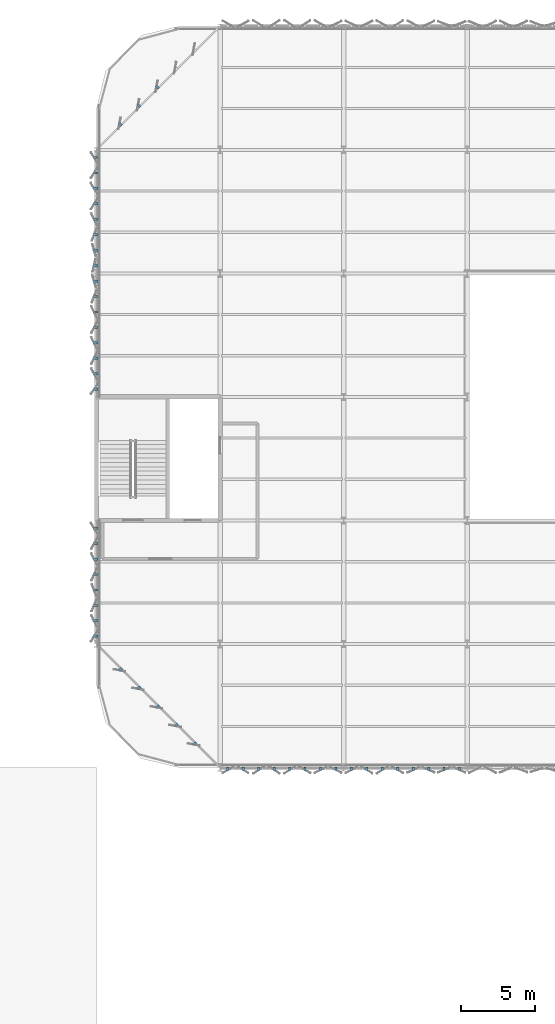
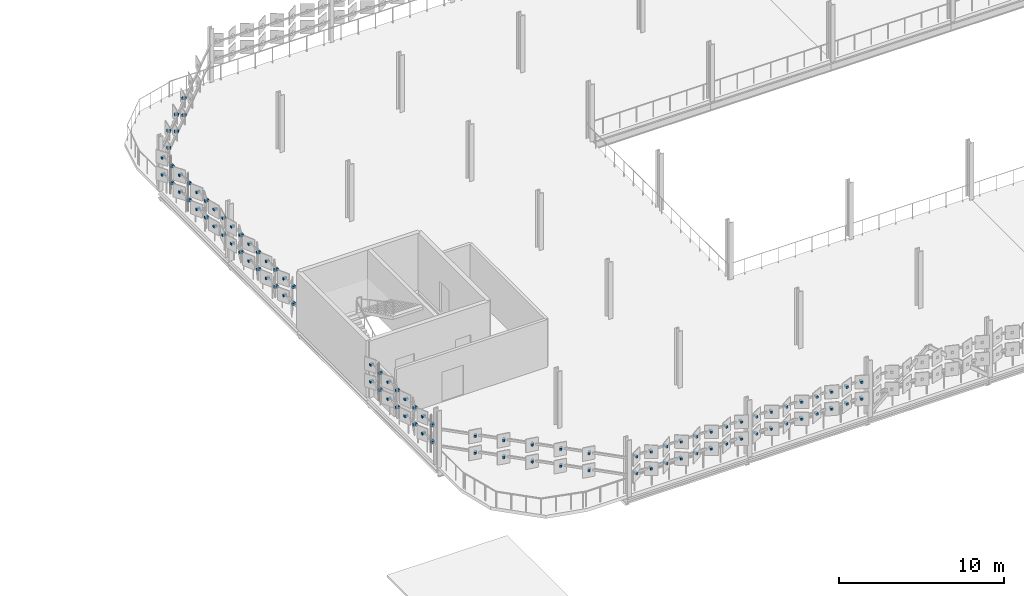
# One storey, part 56 of 69: 96 discrete accessories.
"""IFC4 building model written with IfcOpenShell, lengths in metres."""

from ifc_helpers import new_model, si_unit, direction, frame, origin, origin_2d, place, context, subcontext, project, spatial, rectangle, extrude, material, type_object, element, save


model = new_model("IFC4")

# Units and contexts
model_context = context("Model", 3, precision=1e-05, world=origin(), true_north=direction((0.0, 1.0)))
body_context = subcontext(model_context, "Body", "Model", "MODEL_VIEW")
ifc_project = project(units=[si_unit("LENGTHUNIT", "METRE"), si_unit("AREAUNIT", "SQUARE_METRE"), si_unit("VOLUMEUNIT", "CUBIC_METRE"), si_unit("PLANEANGLEUNIT", "RADIAN"), si_unit("MASSUNIT", "GRAM", prefix="KILO")], contexts=[model_context])

# Site, building, storey
site_placement = place(None, origin())
site = spatial("IfcSite", under=ifc_project, at=site_placement, CompositionType="ELEMENT")
building_placement = place(site_placement, origin())
building = spatial("IfcBuilding", under=site, at=building_placement, Name="Qalvenar Corner Mobility Hub", CompositionType="ELEMENT")
storey_placement = place(building_placement, frame((0.0, 0.0, 13.199951171875)))
storey = spatial("IfcBuildingStorey", under=building, at=storey_placement, Name="L03", CompositionType="ELEMENT", Elevation=13.199951171875)

# Discrete accessories
ifc_material = material(Name="Steel S355", Category="steel")
discrete_accessory_type = type_object("IfcDiscreteAccessoryType", Name="ACC-HINGE-BRK", PredefinedType="BRACKET", material=ifc_material)
for number, where, z_axis, x_axis, name in (
    (1, (67.72509765625, 67.1201171875, 1.419921875), (0.0, 0.0, 1.0), (1.0, 0.0, 0.0), "Panel Hinge Bracket BK-L03-0721"),
    (2, (67.72509765625, 67.1201171875, 2.669921875), (0.0, 0.0, 1.0), (1.0, 0.0, 0.0), "Panel Hinge Bracket BK-L03-0722"),
    (3, (68.77490234375, 67.1201171875, 1.419921875), (0.0, 0.0, 1.0), (1.0, 0.0, 0.0), "Panel Hinge Bracket BK-L03-0723"),
    (4, (68.77490234375, 67.1201171875, 2.669921875), (0.0, 0.0, 1.0), (1.0, 0.0, 0.0), "Panel Hinge Bracket BK-L03-0724"),
    (5, (69.824951171875, 67.1201171875, 1.419921875), (0.0, 0.0, 1.0), (1.0, 0.0, 0.0), "Panel Hinge Bracket BK-L03-0725"),
    (6, (69.824951171875, 67.1201171875, 2.669921875), (0.0, 0.0, 1.0), (1.0, 0.0, 0.0), "Panel Hinge Bracket BK-L03-0726"),
    (7, (70.875, 67.1201171875, 1.419921875), (0.0, 0.0, 1.0), (1.0, 0.0, 0.0), "Panel Hinge Bracket BK-L03-0727"),
    (8, (70.875, 67.1201171875, 2.669921875), (0.0, 0.0, 1.0), (1.0, 0.0, 0.0), "Panel Hinge Bracket BK-L03-0728"),
    (9, (71.925048828125, 67.1201171875, 1.419921875), (0.0, 0.0, 1.0), (1.0, 0.0, 0.0), "Panel Hinge Bracket BK-L03-0729"),
    (10, (71.925048828125, 67.1201171875, 2.669921875), (0.0, 0.0, 1.0), (1.0, 0.0, 0.0), "Panel Hinge Bracket BK-L03-0730"),
    (11, (72.97509765625, 67.1201171875, 1.419921875), (0.0, 0.0, 1.0), (1.0, 0.0, 0.0), "Panel Hinge Bracket BK-L03-0731"),
    (12, (72.97509765625, 67.1201171875, 2.669921875), (0.0, 0.0, 1.0), (1.0, 0.0, 0.0), "Panel Hinge Bracket BK-L03-0732"),
    (13, (74.02490234375, 67.1201171875, 1.419921875), (0.0, 0.0, 1.0), (1.0, 0.0, 0.0), "Panel Hinge Bracket BK-L03-0733"),
    (14, (74.02490234375, 67.1201171875, 2.669921875), (0.0, 0.0, 1.0), (1.0, 0.0, 0.0), "Panel Hinge Bracket BK-L03-0734"),
    (15, (75.074951171875, 67.1201171875, 1.419921875), (0.0, 0.0, 1.0), (1.0, 0.0, 0.0), "Panel Hinge Bracket BK-L03-0735"),
    (16, (75.074951171875, 67.1201171875, 2.669921875), (0.0, 0.0, 1.0), (1.0, 0.0, 0.0), "Panel Hinge Bracket BK-L03-0736"),
    (17, (76.125, 67.1201171875, 1.419921875), (0.0, 0.0, 1.0), (1.0, 0.0, 0.0), "Panel Hinge Bracket BK-L03-0737"),
    (18, (76.125, 67.1201171875, 2.669921875), (0.0, 0.0, 1.0), (1.0, 0.0, 0.0), "Panel Hinge Bracket BK-L03-0738"),
    (19, (77.175048828125, 67.1201171875, 1.419921875), (0.0, 0.0, 1.0), (1.0, 0.0, 0.0), "Panel Hinge Bracket BK-L03-0739"),
    (20, (77.175048828125, 67.1201171875, 2.669921875), (0.0, 0.0, 1.0), (1.0, 0.0, 0.0), "Panel Hinge Bracket BK-L03-0740"),
    (21, (78.22509765625, 67.1201171875, 1.419921875), (0.0, 0.0, 1.0), (1.0, 0.0, 0.0), "Panel Hinge Bracket BK-L03-0741"),
    (22, (78.22509765625, 67.1201171875, 2.669921875), (0.0, 0.0, 1.0), (1.0, 0.0, 0.0), "Panel Hinge Bracket BK-L03-0742"),
    (23, (79.27490234375, 67.1201171875, 1.419921875), (0.0, 0.0, 1.0), (1.0, 0.0, 0.0), "Panel Hinge Bracket BK-L03-0743"),
    (24, (79.27490234375, 67.1201171875, 2.669921875), (0.0, 0.0, 1.0), (1.0, 0.0, 0.0), "Panel Hinge Bracket BK-L03-0744"),
    (25, (80.324951171875, 67.1201171875, 1.419921875), (0.0, 0.0, 1.0), (1.0, 0.0, 0.0), "Panel Hinge Bracket BK-L03-0745"),
    (26, (80.324951171875, 67.1201171875, 2.669921875), (0.0, 0.0, 1.0), (1.0, 0.0, 0.0), "Panel Hinge Bracket BK-L03-0746"),
    (27, (81.375, 67.1201171875, 1.419921875), (0.0, 0.0, 1.0), (1.0, 0.0, 0.0), "Panel Hinge Bracket BK-L03-0747"),
    (28, (81.375, 67.1201171875, 2.669921875), (0.0, 0.0, 1.0), (1.0, 0.0, 0.0), "Panel Hinge Bracket BK-L03-0748"),
    (29, (82.425048828125, 67.1201171875, 1.419921875), (0.0, 0.0, 1.0), (1.0, 0.0, 0.0), "Panel Hinge Bracket BK-L03-0749"),
    (30, (82.425048828125, 67.1201171875, 2.669921875), (0.0, 0.0, 1.0), (1.0, 0.0, 0.0), "Panel Hinge Bracket BK-L03-0750"),
    (31, (83.47509765625, 67.1201171875, 1.419921875), (0.0, 0.0, 1.0), (1.0, 0.0, 0.0), "Panel Hinge Bracket BK-L03-0751"),
    (32, (83.47509765625, 67.1201171875, 2.669921875), (0.0, 0.0, 1.0), (1.0, 0.0, 0.0), "Panel Hinge Bracket BK-L03-0752"),
    (33, (58.719970703125, 83.47509765625, 1.419921875), (0.0, 0.0, 1.0), (0.0, -1.0, 0.0), "Panel Hinge Bracket BK-L03-0977"),
    (34, (58.719970703125, 83.47509765625, 2.669921875), (0.0, 0.0, 1.0), (0.0, -1.0, 0.0), "Panel Hinge Bracket BK-L03-0978"),
    (35, (58.719970703125, 82.425048828125, 1.419921875), (0.0, 0.0, 1.0), (0.0, -1.0, 0.0), "Panel Hinge Bracket BK-L03-0979"),
    (36, (58.719970703125, 82.425048828125, 2.669921875), (0.0, 0.0, 1.0), (0.0, -1.0, 0.0), "Panel Hinge Bracket BK-L03-0980"),
    (37, (58.719970703125, 81.375, 1.419921875), (0.0, 0.0, 1.0), (0.0, -1.0, 0.0), "Panel Hinge Bracket BK-L03-0981"),
    (38, (58.719970703125, 81.375, 2.669921875), (0.0, 0.0, 1.0), (0.0, -1.0, 0.0), "Panel Hinge Bracket BK-L03-0982"),
    (39, (58.719970703125, 80.324951171875, 1.419921875), (0.0, 0.0, 1.0), (0.0, -1.0, 0.0), "Panel Hinge Bracket BK-L03-0983"),
    (40, (58.719970703125, 80.324951171875, 2.669921875), (0.0, 0.0, 1.0), (0.0, -1.0, 0.0), "Panel Hinge Bracket BK-L03-0984"),
    (41, (58.719970703125, 79.27490234375, 1.419921875), (0.0, 0.0, 1.0), (0.0, -1.0, 0.0), "Panel Hinge Bracket BK-L03-0985"),
    (42, (58.719970703125, 79.27490234375, 2.669921875), (0.0, 0.0, 1.0), (0.0, -1.0, 0.0), "Panel Hinge Bracket BK-L03-0986"),
    (43, (58.719970703125, 78.22509765625, 1.419921875), (0.0, 0.0, 1.0), (0.0, -1.0, 0.0), "Panel Hinge Bracket BK-L03-0987"),
    (44, (58.719970703125, 78.22509765625, 2.669921875), (0.0, 0.0, 1.0), (0.0, -1.0, 0.0), "Panel Hinge Bracket BK-L03-0988"),
    (45, (58.719970703125, 77.175048828125, 1.419921875), (0.0, 0.0, 1.0), (0.0, -1.0, 0.0), "Panel Hinge Bracket BK-L03-0989"),
    (46, (58.719970703125, 77.175048828125, 2.669921875), (0.0, 0.0, 1.0), (0.0, -1.0, 0.0), "Panel Hinge Bracket BK-L03-0990"),
    (47, (58.719970703125, 76.125, 1.419921875), (0.0, 0.0, 1.0), (0.0, -1.0, 0.0), "Panel Hinge Bracket BK-L03-0991"),
    (48, (58.719970703125, 76.125, 2.669921875), (0.0, 0.0, 1.0), (0.0, -1.0, 0.0), "Panel Hinge Bracket BK-L03-0992"),
    (49, (58.719970703125, 108.675048828125, 1.419921875), (0.0, 0.0, 1.0), (0.0, -1.0, 0.0), "Panel Hinge Bracket BK-L03-0993"),
    (50, (58.719970703125, 108.675048828125, 2.669921875), (0.0, 0.0, 1.0), (0.0, -1.0, 0.0), "Panel Hinge Bracket BK-L03-0994"),
    (51, (58.719970703125, 107.625, 1.419921875), (0.0, 0.0, 1.0), (0.0, -1.0, 0.0), "Panel Hinge Bracket BK-L03-0995"),
    (52, (58.719970703125, 107.625, 2.669921875), (0.0, 0.0, 1.0), (0.0, -1.0, 0.0), "Panel Hinge Bracket BK-L03-0996"),
    (53, (58.719970703125, 106.574951171875, 1.419921875), (0.0, 0.0, 1.0), (0.0, -1.0, 0.0), "Panel Hinge Bracket BK-L03-0997"),
    (54, (58.719970703125, 106.574951171875, 2.669921875), (0.0, 0.0, 1.0), (0.0, -1.0, 0.0), "Panel Hinge Bracket BK-L03-0998"),
    (55, (58.719970703125, 105.52490234375, 1.419921875), (0.0, 0.0, 1.0), (0.0, -1.0, 0.0), "Panel Hinge Bracket BK-L03-0999"),
    (56, (58.719970703125, 105.52490234375, 2.669921875), (0.0, 0.0, 1.0), (0.0, -1.0, 0.0), "Panel Hinge Bracket BK-L03-1000"),
    (57, (58.719970703125, 104.47509765625, 1.419921875), (0.0, 0.0, 1.0), (0.0, -1.0, 0.0), "Panel Hinge Bracket BK-L03-1001"),
    (58, (58.719970703125, 104.47509765625, 2.669921875), (0.0, 0.0, 1.0), (0.0, -1.0, 0.0), "Panel Hinge Bracket BK-L03-1002"),
    (59, (58.719970703125, 103.425048828125, 1.419921875), (0.0, 0.0, 1.0), (0.0, -1.0, 0.0), "Panel Hinge Bracket BK-L03-1003"),
    (60, (58.719970703125, 103.425048828125, 2.669921875), (0.0, 0.0, 1.0), (0.0, -1.0, 0.0), "Panel Hinge Bracket BK-L03-1004"),
    (61, (58.719970703125, 102.375, 1.419921875), (0.0, 0.0, 1.0), (0.0, -1.0, 0.0), "Panel Hinge Bracket BK-L03-1005"),
    (62, (58.719970703125, 102.375, 2.669921875), (0.0, 0.0, 1.0), (0.0, -1.0, 0.0), "Panel Hinge Bracket BK-L03-1006"),
    (63, (58.719970703125, 101.324951171875, 1.419921875), (0.0, 0.0, 1.0), (0.0, -1.0, 0.0), "Panel Hinge Bracket BK-L03-1007"),
    (64, (58.719970703125, 101.324951171875, 2.669921875), (0.0, 0.0, 1.0), (0.0, -1.0, 0.0), "Panel Hinge Bracket BK-L03-1008"),
    (65, (58.719970703125, 100.27490234375, 1.419921875), (0.0, 0.0, 1.0), (0.0, -1.0, 0.0), "Panel Hinge Bracket BK-L03-1009"),
    (66, (58.719970703125, 100.27490234375, 2.669921875), (0.0, 0.0, 1.0), (0.0, -1.0, 0.0), "Panel Hinge Bracket BK-L03-1010"),
    (67, (58.719970703125, 99.22509765625, 1.419921875), (0.0, 0.0, 1.0), (0.0, -1.0, 0.0), "Panel Hinge Bracket BK-L03-1011"),
    (68, (58.719970703125, 99.22509765625, 2.669921875), (0.0, 0.0, 1.0), (0.0, -1.0, 0.0), "Panel Hinge Bracket BK-L03-1012"),
    (69, (58.719970703125, 98.175048828125, 1.419921875), (0.0, 0.0, 1.0), (0.0, -1.0, 0.0), "Panel Hinge Bracket BK-L03-1013"),
    (70, (58.719970703125, 98.175048828125, 2.669921875), (0.0, 0.0, 1.0), (0.0, -1.0, 0.0), "Panel Hinge Bracket BK-L03-1014"),
    (71, (58.719970703125, 97.125, 1.419921875), (0.0, 0.0, 1.0), (0.0, -1.0, 0.0), "Panel Hinge Bracket BK-L03-1015"),
    (72, (58.719970703125, 97.125, 2.669921875), (0.0, 0.0, 1.0), (0.0, -1.0, 0.0), "Panel Hinge Bracket BK-L03-1016"),
    (73, (58.719970703125, 96.074951171875, 1.419921875), (0.0, 0.0, 1.0), (0.0, -1.0, 0.0), "Panel Hinge Bracket BK-L03-1017"),
    (74, (58.719970703125, 96.074951171875, 2.669921875), (0.0, 0.0, 1.0), (0.0, -1.0, 0.0), "Panel Hinge Bracket BK-L03-1018"),
    (75, (58.719970703125, 95.02490234375, 1.419921875), (0.0, 0.0, 1.0), (0.0, -1.0, 0.0), "Panel Hinge Bracket BK-L03-1019"),
    (76, (58.719970703125, 95.02490234375, 2.669921875), (0.0, 0.0, 1.0), (0.0, -1.0, 0.0), "Panel Hinge Bracket BK-L03-1020"),
    (77, (58.719970703125, 93.97509765625, 1.419921875), (0.0, 0.0, 1.0), (0.0, -1.0, 0.0), "Panel Hinge Bracket BK-L03-1021"),
    (78, (58.719970703125, 93.97509765625, 2.669921875), (0.0, 0.0, 1.0), (0.0, -1.0, 0.0), "Panel Hinge Bracket BK-L03-1022"),
    (79, (58.719970703125, 92.925048828125, 1.419921875), (0.0, 0.0, 1.0), (0.0, -1.0, 0.0), "Panel Hinge Bracket BK-L03-1023"),
    (80, (58.719970703125, 92.925048828125, 2.669921875), (0.0, 0.0, 1.0), (0.0, -1.0, 0.0), "Panel Hinge Bracket BK-L03-1024"),
    (81, (60.42333984375, 73.86328125, 1.419921875), (0.0, 0.0, 1.0), (0.707106781187, -0.707106781187, 0.0), "Corner Hinge Bracket BKC-L03-1041"),
    (82, (61.683349609375, 72.603515625, 1.419921875), (0.0, 0.0, 1.0), (0.707106781187, -0.707106781187, 0.0), "Corner Hinge Bracket BKC-L03-1042"),
    (83, (62.943359375, 71.343505859375, 1.419921875), (0.0, 0.0, 1.0), (0.707106781187, -0.707106781187, 0.0), "Corner Hinge Bracket BKC-L03-1043"),
    (84, (64.203369140625, 70.08349609375, 1.419921875), (0.0, 0.0, 1.0), (0.707106781187, -0.707106781187, 0.0), "Corner Hinge Bracket BKC-L03-1044"),
    (85, (65.46337890625, 68.823486328125, 1.419921875), (0.0, 0.0, 1.0), (0.707106781187, -0.707106781187, 0.0), "Corner Hinge Bracket BKC-L03-1045"),
    (86, (60.42333984375, 73.86328125, 2.669921875), (0.0, 0.0, 1.0), (0.707106781187, -0.707106781187, 0.0), "Corner Hinge Bracket BKC-L03-1046"),
    (87, (61.683349609375, 72.603515625, 2.669921875), (0.0, 0.0, 1.0), (0.707106781187, -0.707106781187, 0.0), "Corner Hinge Bracket BKC-L03-1047"),
    (88, (62.943359375, 71.343505859375, 2.669921875), (0.0, 0.0, 1.0), (0.707106781187, -0.707106781187, 0.0), "Corner Hinge Bracket BKC-L03-1048"),
    (89, (64.203369140625, 70.08349609375, 2.669921875), (0.0, 0.0, 1.0), (0.707106781187, -0.707106781187, 0.0), "Corner Hinge Bracket BKC-L03-1049"),
    (90, (65.46337890625, 68.823486328125, 2.669921875), (0.0, 0.0, 1.0), (0.707106781187, -0.707106781187, 0.0), "Corner Hinge Bracket BKC-L03-1050"),
    (91, (62.943359375, 113.45654296875, 1.419921875), (0.0, 0.0, 1.0), (-0.707106781187, -0.707106781187, 0.0), "Corner Hinge Bracket BKC-L03-1073"),
    (92, (61.683349609375, 112.196533203125, 1.419921875), (0.0, 0.0, 1.0), (-0.707106781187, -0.707106781187, 0.0), "Corner Hinge Bracket BKC-L03-1074"),
    (93, (60.42333984375, 110.9365234375, 1.419921875), (0.0, 0.0, 1.0), (-0.707106781187, -0.707106781187, 0.0), "Corner Hinge Bracket BKC-L03-1075"),
    (94, (62.943359375, 113.45654296875, 2.669921875), (0.0, 0.0, 1.0), (-0.707106781187, -0.707106781187, 0.0), "Corner Hinge Bracket BKC-L03-1078"),
    (95, (61.683349609375, 112.196533203125, 2.669921875), (0.0, 0.0, 1.0), (-0.707106781187, -0.707106781187, 0.0), "Corner Hinge Bracket BKC-L03-1079"),
    (96, (60.42333984375, 110.9365234375, 2.669921875), (0.0, 0.0, 1.0), (-0.707106781187, -0.707106781187, 0.0), "Corner Hinge Bracket BKC-L03-1080"),
):
    element("IfcDiscreteAccessory", number, at=place(storey_placement, frame(where, z_axis=z_axis, x_axis=x_axis)), inside=storey, type_object=discrete_accessory_type, Name=name, PredefinedType="BRACKET", context=body_context, shape_type="SweptSolid", body=[
        extrude(rectangle(XDim=0.159912109375, YDim=0.260009765625, at=origin_2d()), origin(), (0.0, 0.0, 1.0), 0.159912109375),
    ])

save(model, "model.ifc")
